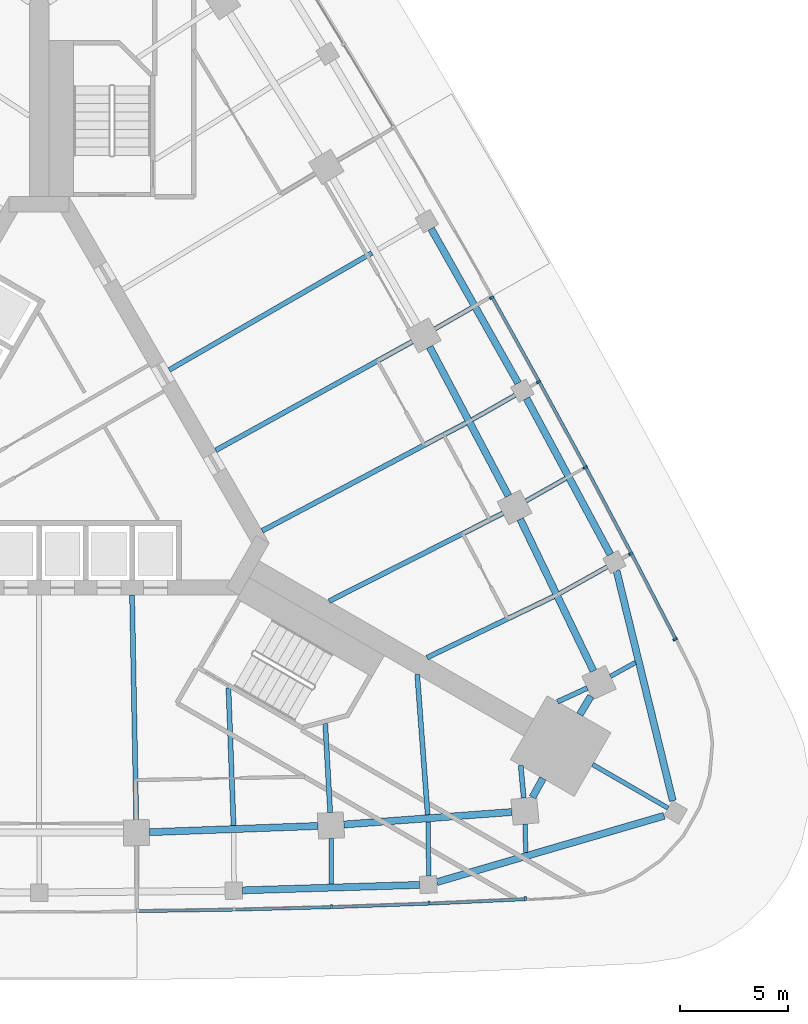
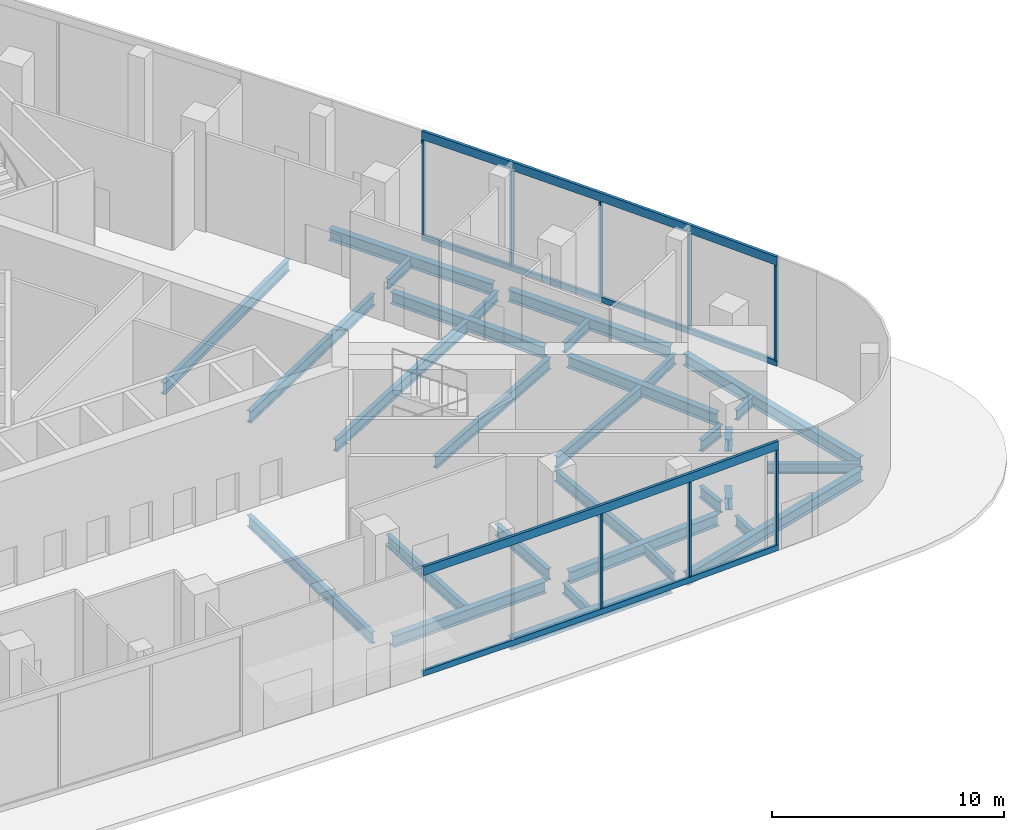
# One storey, part 3 of 14: 31 beams, 12 members, 2 elements without a shape of their own.
"""IFC4 building model written with IfcOpenShell, lengths in metres."""

from ifc_helpers import new_model, si_unit, direction, frame, origin, origin_2d, place, context, subcontext, project, spatial, polyline, rectangle, i_section, outline, extrude, material, material_profile, profile_set, type_object, element, aggregate, save


model = new_model("IFC4")

# Units and contexts
model_context = context("Model", 3, precision=1e-05, world=origin(), true_north=direction((0.0, 1.0)))
body_context = subcontext(model_context, "Body", "Model", "MODEL_VIEW")
ifc_project = project(units=[si_unit("LENGTHUNIT", "METRE"), si_unit("AREAUNIT", "SQUARE_METRE"), si_unit("VOLUMEUNIT", "CUBIC_METRE"), si_unit("PLANEANGLEUNIT", "RADIAN"), si_unit("MASSUNIT", "GRAM", prefix="KILO")], contexts=[model_context])

# Site, building, storey
site_placement = place(None, origin())
site = spatial("IfcSite", under=ifc_project, at=site_placement, CompositionType="ELEMENT")
building_placement = place(site_placement, origin())
building = spatial("IfcBuilding", under=site, at=building_placement, Name="Noor Cloister Tower", CompositionType="ELEMENT")
storey_placement = place(building_placement, origin())
storey = spatial("IfcBuildingStorey", under=building, at=storey_placement, Name="L00", CompositionType="ELEMENT", Elevation=0.0)

# Curtain wall, member
ifc_material_1 = material(Name="Aluminium 6063-T6 anodised", Category="aluminium")
curtain_wall_type = type_object("IfcCurtainWallType", Name="Station shopfront CW4", PredefinedType="NOTDEFINED", material=ifc_material_1)
curtain_wall_1_placement = place(storey_placement, origin())
curtain_wall_1 = element("IfcCurtainWall", 1, at=curtain_wall_1_placement, inside=storey, type_object=curtain_wall_type, Name="CW4 L00 S shopfront 6", PredefinedType="NOTDEFINED")
ifc_material_2 = material(Name="Aluminium 6063-T6 anodised", Category="aluminium")
member_type_1 = type_object("IfcMemberType", Name="Head transom CW4 450", PredefinedType="USERDEFINED", material=ifc_material_2)
member_1_placement = place(storey_placement, frame((0.0, 0.0, 5.300048828125)))
member_1 = element("IfcMember", 2, at=member_1_placement, type_object=member_type_1, Name="CW4 head transom", ObjectType="TRANSOM", PredefinedType="USERDEFINED", context=body_context, shape_type="SweptSolid", body=[
    extrude(outline(polyline([(4.5, -21.584228515625), (8.999267578125, -21.514892578125), (13.497802734375, -21.3994140625), (17.994873046875, -21.237548828125), (22.490234375, -21.02978515625), (22.483642578125, -20.889892578125), (17.9892578125, -21.09765625), (13.49365234375, -21.25927734375), (8.99658203125, -21.374755859375), (4.497802734375, -21.444091796875), (4.5, -21.584228515625)])), origin(), (0.0, 0.0, 1.0), 0.449951171875),
])

curtain_wall_2_placement = place(storey_placement, origin())
curtain_wall_2 = element("IfcCurtainWall", 3, at=curtain_wall_2_placement, inside=storey, type_object=curtain_wall_type, Name="CW4 L00 NE shopfront 9", PredefinedType="NOTDEFINED")
member_2_placement = place(storey_placement, frame((0.0, 0.0, 5.300048828125)))
member_2 = element("IfcMember", 4, at=member_2_placement, type_object=member_type_1, Name="CW4 head transom", ObjectType="TRANSOM", PredefinedType="USERDEFINED", context=body_context, shape_type="SweptSolid", body=[
    extrude(outline(polyline([(29.457275390625, -8.962158203125), (27.389892578125, -4.96533203125), (25.28125, -0.98974609375), (23.132080078125, 2.963623046875), (20.9423828125, 6.89501953125), (20.820068359375, 6.826904296875), (23.009521484375, 2.896240234375), (25.157958984375, -1.05615234375), (27.265869140625, -5.0302734375), (29.3330078125, -9.0263671875), (29.457275390625, -8.962158203125)])), origin(), (0.0, 0.0, 1.0), 0.449951171875),
])

# Member
ifc_material_3 = material(Name="Aluminium 6063-T6 anodised", Category="aluminium")
ifc_material_profile_1 = material_profile(ifc_material_3, rectangle(XDim=0.199951171875, YDim=0.10009765625, at=origin_2d()), Name="200 x 100 mullion")
ifc_profile_set_1 = profile_set([ifc_material_profile_1], Name="Aluminium 6063-T6 anodised")
member_type_2 = type_object("IfcMemberType", Name="Mullion CW4 100 x 200", PredefinedType="MULLION", material=ifc_profile_set_1)
member_3_placement = place(storey_placement, frame((13.494873046875, -21.29931640625, 0.300048828125), z_axis=(0.0, 0.0, 1.0), x_axis=(-0.030802980644, 0.999525475605, 0.0)))
member_3 = element("IfcMember", 5, at=member_3_placement, type_object=member_type_2, Name="CW4 mullion 3", PredefinedType="MULLION", context=body_context, shape_type="SweptSolid", body=[
    extrude(rectangle(XDim=0.199951171875, YDim=0.10009765625, at=origin_2d()), origin(), (0.0, 0.0, 1.0), 5.0),
])

member_4_placement = place(storey_placement, frame((17.99072265625, -21.1376953125, 0.300048828125), z_axis=(0.0, 0.0, 1.0), x_axis=(-0.041065575991, 0.999156453449, 0.0)))
member_4 = element("IfcMember", 6, at=member_4_placement, type_object=member_type_2, Name="CW4 mullion 4", PredefinedType="MULLION", context=body_context, shape_type="SweptSolid", body=[
    extrude(rectangle(XDim=0.199951171875, YDim=0.10009765625, at=origin_2d()), origin(), (0.0, 0.0, 1.0), 5.0),
])

member_5_placement = place(storey_placement, frame((22.435546875, -20.93212890625, 0.300048828125), z_axis=(0.0, 0.0, 1.0), x_axis=(-0.046195334729, 0.998932425667, 0.0)))
member_5 = element("IfcMember", 7, at=member_5_placement, type_object=member_type_2, Name="CW4 mullion 5", PredefinedType="MULLION", context=body_context, shape_type="SweptSolid", body=[
    extrude(rectangle(XDim=0.199951171875, YDim=0.10009765625, at=origin_2d()), origin(), (0.0, 0.0, 1.0), 5.0),
])

member_6_placement = place(storey_placement, frame((29.345458984375, -8.963623046875, 0.300048828125), z_axis=(0.0, 0.0, 1.0), x_axis=(-0.888198524656, -0.459459879422, 0.0)))
member_6 = element("IfcMember", 8, at=member_6_placement, type_object=member_type_2, Name="CW4 mullion 1", PredefinedType="MULLION", context=body_context, shape_type="SweptSolid", body=[
    extrude(rectangle(XDim=0.199951171875, YDim=0.10009765625, at=origin_2d()), origin(), (0.0, 0.0, 1.0), 5.0),
])

member_7_placement = place(storey_placement, frame((27.30126953125, -5.01171875, 0.300048828125), z_axis=(0.0, 0.0, 1.0), x_axis=(-0.885827659038, -0.464014394695, 0.0)))
member_7 = element("IfcMember", 9, at=member_7_placement, type_object=member_type_2, Name="CW4 mullion 2", PredefinedType="MULLION", context=body_context, shape_type="SweptSolid", body=[
    extrude(rectangle(XDim=0.199951171875, YDim=0.10009765625, at=origin_2d()), origin(), (0.0, 0.0, 1.0), 5.0),
])

member_8_placement = place(storey_placement, frame((25.193115234375, -1.037109375, 0.300048828125), z_axis=(0.0, 0.0, 1.0), x_axis=(-0.881015943926, -0.473086574052, 0.0)))
member_8 = element("IfcMember", 10, at=member_8_placement, type_object=member_type_2, Name="CW4 mullion 3", PredefinedType="MULLION", context=body_context, shape_type="SweptSolid", body=[
    extrude(rectangle(XDim=0.199951171875, YDim=0.10009765625, at=origin_2d()), origin(), (0.0, 0.0, 1.0), 5.0),
])

member_9_placement = place(storey_placement, frame((23.04443359375, 2.91552734375, 0.300048828125), z_axis=(0.0, 0.0, 1.0), x_axis=(-0.876111311066, -0.482108878391, 0.0)))
member_9 = element("IfcMember", 11, at=member_9_placement, type_object=member_type_2, Name="CW4 mullion 4", PredefinedType="MULLION", context=body_context, shape_type="SweptSolid", body=[
    extrude(rectangle(XDim=0.199951171875, YDim=0.10009765625, at=origin_2d()), origin(), (0.0, 0.0, 1.0), 5.0),
])

member_10_placement = place(storey_placement, frame((20.87939453125, 6.802734375, 0.300048828125), z_axis=(0.0, 0.0, 1.0), x_axis=(-0.873624319016, -0.486601016464, 0.0)))
member_10 = element("IfcMember", 12, at=member_10_placement, type_object=member_type_2, Name="CW4 mullion 5", PredefinedType="MULLION", context=body_context, shape_type="SweptSolid", body=[
    extrude(rectangle(XDim=0.199951171875, YDim=0.10009765625, at=origin_2d()), origin(), (0.0, 0.0, 1.0), 5.0),
])

# Beams
ifc_material_4 = material(Name="Steel ASTM A992 Gr 50", Category="steel")
ifc_material_profile_2 = material_profile(ifc_material_4, i_section(OverallWidth=0.324951171875, OverallDepth=0.612060546875, WebThickness=0.0126953125, FlangeThickness=0.01904296875, FilletRadius=0.0126953125, at=origin_2d()), Name="W610x155")
ifc_profile_set_2 = profile_set([ifc_material_profile_2], Name="Steel ASTM A992 Gr 50")
beam_type_1 = type_object("IfcBeamType", Name="Podium column line beam W610x155", PredefinedType="BEAM", material=ifc_profile_set_2)
for number, where, z_axis, x_axis, name in (
    (13, (5.089111328125, -17.869140625, -0.555908203125), (0.999311691731, 0.037096398343, 0.0), (-0.037096398343, 0.999311691731, 0.0), "Podium column line beam S 06 L00"),
    (14, (14.060791015625, -17.513916015625, -0.555908203125), (0.997246218275, 0.074161850945, 0.0), (-0.074161850945, 0.997246218275, 0.0), "Podium column line beam S 08 L00"),
):
    element("IfcBeam", number, at=place(storey_placement, frame(where, z_axis=z_axis, x_axis=x_axis)), inside=storey, type_object=beam_type_1, Name=name, PredefinedType="BEAM", context=body_context, shape_type="SweptSolid", body=[
        extrude(i_section(OverallWidth=0.324951171875, OverallDepth=0.612060546875, WebThickness=0.0126953125, FlangeThickness=0.01904296875, FilletRadius=0.0126953125, at=origin_2d()), origin(), (0.0, 0.0, 1.0), 7.779052734375),
    ])
for number, where, z_axis, x_axis, name in (
    (15, (25.5771484375, -10.4267578125, -0.555908203125), (-0.434400589533, 0.900719783181, 0.0), (-0.900719783181, -0.434400589533, 0.0), "Podium column line beam NE 00 L00"),
    (16, (21.65673828125, -2.34912109375, -0.555908203125), (-0.467547366886, 0.883968019624, 0.0), (-0.883968019624, -0.467547366886, 0.0), "Podium column line beam NE 02 L00"),
):
    element("IfcBeam", number, at=place(storey_placement, frame(where, z_axis=z_axis, x_axis=x_axis)), inside=storey, type_object=beam_type_1, Name=name, PredefinedType="BEAM", context=body_context, shape_type="SweptSolid", body=[
        extrude(i_section(OverallWidth=0.324951171875, OverallDepth=0.612060546875, WebThickness=0.0126953125, FlangeThickness=0.01904296875, FilletRadius=0.0126953125, at=origin_2d()), origin(), (0.0, 0.0, 1.0), 7.77880859375),
    ])
for number, where, z_axis, x_axis, name in (
    (17, (22.76611328125, -16.257568359375, -0.555908203125), (0.48185292196, 0.876252110753, 0.0), (-0.876252110753, 0.48185292196, 0.0), "Podium end beam S 10 L00"),
    (18, (25.46240234375, -11.58740234375, -0.555908203125), (-0.517698861359, -0.855562907651, 0.0), (0.855562907651, -0.517698861359, 0.0), "Podium end beam NE 00 L00"),
):
    element("IfcBeam", number, at=place(storey_placement, frame(where, z_axis=z_axis, x_axis=x_axis)), inside=storey, type_object=beam_type_1, Name=name, PredefinedType="BEAM", context=body_context, shape_type="SweptSolid", body=[
        extrude(i_section(OverallWidth=0.324951171875, OverallDepth=0.612060546875, WebThickness=0.0126953125, FlangeThickness=0.01904296875, FilletRadius=0.0126953125, at=origin_2d()), origin(), (0.0, 0.0, 1.0), 0.99658203125),
    ])
ifc_material_5 = material(Name="Steel ASTM A992 Gr 50", Category="steel")
ifc_material_profile_3 = material_profile(ifc_material_5, i_section(OverallWidth=0.324951171875, OverallDepth=0.616943359375, WebThickness=0.013916015625, FlangeThickness=0.021484375, FilletRadius=0.0126953125, at=origin_2d()), Name="W610x174")
ifc_profile_set_3 = profile_set([ifc_material_profile_3], Name="Steel ASTM A992 Gr 50")
beam_type_2 = type_object("IfcBeamType", Name="Podium perimeter beam W610x174", PredefinedType="BEAM", material=ifc_profile_set_3)
beam_1_placement = place(storey_placement, frame((9.379638671875, -20.552734375, -0.55859375), z_axis=(0.999525578868, 0.030799629673, 0.0), x_axis=(-0.030799629673, 0.999525578868, 0.0)))
element("IfcBeam", 19, at=beam_1_placement, inside=storey, type_object=beam_type_2, Name="Podium perimeter beam 11 L00", PredefinedType="BEAM", context=body_context, shape_type="SweptSolid", body=[
    extrude(i_section(OverallWidth=0.324951171875, OverallDepth=0.616943359375, WebThickness=0.013916015625, FlangeThickness=0.021484375, FilletRadius=0.0126953125, at=origin_2d()), origin(), (0.0, 0.0, 1.0), 8.180419921875),
])
for number, where, z_axis, x_axis, name in (
    (20, (18.3515625, -20.1728515625, -0.55859375), (0.959935397728, 0.280221398522, 0.0), (-0.280221398522, 0.959935397728, 0.0), "Podium perimeter beam 12 L00"),
    (21, (29.23828125, -16.4189453125, -0.55859375), (-0.237289539542, 0.971438971024, 0.0), (-0.971438971024, -0.237289539542, 0.0), "Podium perimeter beam 13 L00"),
):
    element("IfcBeam", number, at=place(storey_placement, frame(where, z_axis=z_axis, x_axis=x_axis)), inside=storey, type_object=beam_type_2, Name=name, PredefinedType="BEAM", context=body_context, shape_type="SweptSolid", body=[
        extrude(i_section(OverallWidth=0.324951171875, OverallDepth=0.616943359375, WebThickness=0.013916015625, FlangeThickness=0.021484375, FilletRadius=0.0126953125, at=origin_2d()), origin(), (0.0, 0.0, 1.0), 10.924560546875),
    ])
for number, where, z_axis, x_axis, name in (
    (22, (26.35888671875, -5.0537109375, -0.55859375), (-0.47307258725, 0.881023454394, 0.0), (-0.881023454394, -0.47307258725, 0.0), "Podium perimeter beam 14 L00"),
    (23, (22.103271484375, 2.854248046875, -0.55859375), (-0.491071539523, 0.871119247331, 0.0), (-0.871119247331, -0.491071539523, 0.0), "Podium perimeter beam 15 L00"),
):
    element("IfcBeam", number, at=place(storey_placement, frame(where, z_axis=z_axis, x_axis=x_axis)), inside=storey, type_object=beam_type_2, Name=name, PredefinedType="BEAM", context=body_context, shape_type="SweptSolid", body=[
        extrude(i_section(OverallWidth=0.324951171875, OverallDepth=0.616943359375, WebThickness=0.013916015625, FlangeThickness=0.021484375, FilletRadius=0.0126953125, at=origin_2d()), origin(), (0.0, 0.0, 1.0), 8.18017578125),
    ])
ifc_material_6 = material(Name="Steel ASTM A992 Gr 50", Category="steel")
ifc_material_profile_4 = material_profile(ifc_material_6, i_section(OverallWidth=0.22900390625, OverallDepth=0.612060546875, WebThickness=0.011962890625, FlangeThickness=0.01953125, FilletRadius=0.0126953125, at=origin_2d()), Name="W610x125")
ifc_profile_set_4 = profile_set([ifc_material_profile_4], Name="Steel ASTM A992 Gr 50")
beam_type_3 = type_object("IfcBeamType", Name="Podium radial beam W610x125", PredefinedType="BEAM", material=ifc_profile_set_4)
beam_2_placement = place(storey_placement, frame((4.478515625, -17.29150390625, -0.555908203125), z_axis=(-0.018560692037, 0.999827735518, 0.0), x_axis=(-0.999827735518, -0.018560692037, 0.0)))
element("IfcBeam", 24, at=beam_2_placement, inside=storey, type_object=beam_type_3, Name="Podium radial beam S 06 L00", PredefinedType="BEAM", context=body_context, shape_type="SweptSolid", body=[
    extrude(i_section(OverallWidth=0.22900390625, OverallDepth=0.612060546875, WebThickness=0.011962890625, FlangeThickness=0.01953125, FilletRadius=0.0126953125, at=origin_2d()), origin(), (0.0, 0.0, 1.0), 10.364990234375),
])
beam_3_placement = place(storey_placement, frame((8.969970703125, -17.5625, -0.555908203125), z_axis=(-0.037101061142, 0.999311518628, 0.0), x_axis=(-0.999311518628, -0.037101061142, 0.0)))
element("IfcBeam", 25, at=beam_3_placement, inside=storey, type_object=beam_type_3, Name="Podium radial beam S 07 L00", PredefinedType="BEAM", context=body_context, shape_type="SweptSolid", body=[
    extrude(i_section(OverallWidth=0.22900390625, OverallDepth=0.612060546875, WebThickness=0.011962890625, FlangeThickness=0.01953125, FilletRadius=0.0126953125, at=origin_2d()), origin(), (0.0, 0.0, 1.0), 6.36328125),
])
beam_4_placement = place(storey_placement, frame((13.428955078125, -16.959228515625, -0.555908203125), z_axis=(-0.055591728913, 0.998453584137, 0.0), x_axis=(-0.998453584137, -0.055591728913, 0.0)))
element("IfcBeam", 26, at=beam_4_placement, inside=storey, type_object=beam_type_3, Name="Podium radial beam S 08 L00", PredefinedType="BEAM", context=body_context, shape_type="SweptSolid", body=[
    extrude(i_section(OverallWidth=0.22900390625, OverallDepth=0.612060546875, WebThickness=0.011962890625, FlangeThickness=0.01953125, FilletRadius=0.0126953125, at=origin_2d()), origin(), (0.0, 0.0, 1.0), 4.110595703125),
])
beam_5_placement = place(storey_placement, frame((17.927490234375, -17.0634765625, -0.555908203125), z_axis=(-0.074118366359, 0.997249451125, 0.0), x_axis=(-0.997249451125, -0.074118366359, 0.0)))
element("IfcBeam", 27, at=beam_5_placement, inside=storey, type_object=beam_type_3, Name="Podium radial beam S 09 L00", PredefinedType="BEAM", context=body_context, shape_type="SweptSolid", body=[
    extrude(i_section(OverallWidth=0.22900390625, OverallDepth=0.612060546875, WebThickness=0.011962890625, FlangeThickness=0.01953125, FilletRadius=0.0126953125, at=origin_2d()), origin(), (0.0, 0.0, 1.0), 6.489013671875),
])
for number, where, z_axis, x_axis, name in (
    (28, (22.361328125, -16.295166015625, -0.555908203125), (-0.09269423525, 0.995694621233, 0.0), (-0.995694621233, -0.09269423525, 0.0), "Podium radial beam S 10 L00"),
    (29, (25.292724609375, -11.2177734375, -0.555908203125), (-0.908602193803, -0.417662607157, 0.0), (0.417662607157, -0.908602193803, 0.0), "Podium radial beam NE 00 L00"),
):
    element("IfcBeam", number, at=place(storey_placement, frame(where, z_axis=z_axis, x_axis=x_axis)), inside=storey, type_object=beam_type_3, Name=name, PredefinedType="BEAM", context=body_context, shape_type="SweptSolid", body=[
        extrude(i_section(OverallWidth=0.22900390625, OverallDepth=0.612060546875, WebThickness=0.011962890625, FlangeThickness=0.01953125, FilletRadius=0.0126953125, at=origin_2d()), origin(), (0.0, 0.0, 1.0), 1.50927734375),
    ])
beam_6_placement = place(storey_placement, frame((23.7412109375, -6.993896484375, -0.555908203125), z_axis=(-0.900702438264, -0.43443655199, 0.0), x_axis=(0.43443655199, -0.900702438264, 0.0)))
element("IfcBeam", 30, at=beam_6_placement, inside=storey, type_object=beam_type_3, Name="Podium radial beam NE 01 L00", PredefinedType="BEAM", context=body_context, shape_type="SweptSolid", body=[
    extrude(i_section(OverallWidth=0.22900390625, OverallDepth=0.612060546875, WebThickness=0.011962890625, FlangeThickness=0.01953125, FilletRadius=0.0126953125, at=origin_2d()), origin(), (0.0, 0.0, 1.0), 6.489013671875),
])
beam_7_placement = place(storey_placement, frame((21.401611328125, -3.150146484375, -0.555908203125), z_axis=(-0.892490546955, -0.451066096705, 0.0), x_axis=(0.451066096705, -0.892490546955, 0.0)))
element("IfcBeam", 31, at=beam_7_placement, inside=storey, type_object=beam_type_3, Name="Podium radial beam NE 02 L00", PredefinedType="BEAM", context=body_context, shape_type="SweptSolid", body=[
    extrude(i_section(OverallWidth=0.22900390625, OverallDepth=0.612060546875, WebThickness=0.011962890625, FlangeThickness=0.01953125, FilletRadius=0.0126953125, at=origin_2d()), origin(), (0.0, 0.0, 1.0), 8.989013671875),
])
beam_8_placement = place(storey_placement, frame((19.694580078125, 1.01318359375, -0.555908203125), z_axis=(-0.883975349121, -0.467533509116, 0.0), x_axis=(0.467533509116, -0.883975349121, 0.0)))
element("IfcBeam", 32, at=beam_8_placement, inside=storey, type_object=beam_type_3, Name="Podium radial beam NE 03 L00", PredefinedType="BEAM", context=body_context, shape_type="SweptSolid", body=[
    extrude(i_section(OverallWidth=0.22900390625, OverallDepth=0.612060546875, WebThickness=0.011962890625, FlangeThickness=0.01953125, FilletRadius=0.0126953125, at=origin_2d()), origin(), (0.0, 0.0, 1.0), 10.6416015625),
])
beam_9_placement = place(storey_placement, frame((17.214111328125, 4.767333984375, -0.555908203125), z_axis=(-0.875152039929, -0.483848020568, 0.0), x_axis=(0.483848020568, -0.875152039929, 0.0)))
element("IfcBeam", 33, at=beam_9_placement, inside=storey, type_object=beam_type_3, Name="Podium radial beam NE 04 L00", PredefinedType="BEAM", context=body_context, shape_type="SweptSolid", body=[
    extrude(i_section(OverallWidth=0.22900390625, OverallDepth=0.612060546875, WebThickness=0.011962890625, FlangeThickness=0.01953125, FilletRadius=0.0126953125, at=origin_2d()), origin(), (0.0, 0.0, 1.0), 10.364990234375),
])
beam_10_placement = place(storey_placement, frame((15.353759765625, 8.864501953125, -0.555908203125), z_axis=(-0.866025607992, -0.499999646302, 0.0), x_axis=(0.499999646302, -0.866025607992, 0.0)))
element("IfcBeam", 34, at=beam_10_placement, inside=storey, type_object=beam_type_3, Name="Podium radial beam NE 05 L00", PredefinedType="BEAM", context=body_context, shape_type="SweptSolid", body=[
    extrude(i_section(OverallWidth=0.22900390625, OverallDepth=0.612060546875, WebThickness=0.011962890625, FlangeThickness=0.01953125, FilletRadius=0.0126953125, at=origin_2d()), origin(), (0.0, 0.0, 1.0), 10.80078125),
])
ifc_material_7 = material(Name="Steel ASTM A992 Gr 50", Category="steel")
ifc_material_profile_5 = material_profile(ifc_material_7, i_section(OverallWidth=0.208984375, OverallDepth=0.532958984375, WebThickness=0.01025390625, FlangeThickness=0.015625, FilletRadius=0.0126953125, at=origin_2d()), Name="W530x92")
ifc_profile_set_5 = profile_set([ifc_material_profile_5], Name="Steel ASTM A992 Gr 50")
beam_type_4 = type_object("IfcBeamType", Name="Podium stub beam W530x92", PredefinedType="BEAM", material=ifc_profile_set_5)
beam_11_placement = place(storey_placement, frame((13.468017578125, -18.158935546875, -0.5166015625), z_axis=(0.009163285382, -0.999958016219, 0.0), x_axis=(0.999958016219, 0.009163285382, 0.0)))
element("IfcBeam", 35, at=beam_11_placement, inside=storey, type_object=beam_type_4, Name="Podium stub beam S 08 L00", PredefinedType="BEAM", context=body_context, shape_type="SweptSolid", body=[
    extrude(i_section(OverallWidth=0.208984375, OverallDepth=0.532958984375, WebThickness=0.01025390625, FlangeThickness=0.015625, FilletRadius=0.0126953125, at=origin_2d()), origin(), (0.0, 0.0, 1.0), 2.104736328125),
])
beam_12_placement = place(storey_placement, frame((17.9443359375, -17.38818359375, -0.5166015625), z_axis=(0.013089929593, -0.999914323201, 0.0), x_axis=(0.999914323201, 0.013089929593, 0.0)))
element("IfcBeam", 36, at=beam_12_placement, inside=storey, type_object=beam_type_4, Name="Podium stub beam S 09 L00", PredefinedType="BEAM", context=body_context, shape_type="SweptSolid", body=[
    extrude(i_section(OverallWidth=0.208984375, OverallDepth=0.532958984375, WebThickness=0.01025390625, FlangeThickness=0.015625, FilletRadius=0.0126953125, at=origin_2d()), origin(), (0.0, 0.0, 1.0), 2.499267578125),
])
beam_13_placement = place(storey_placement, frame((22.427490234375, -17.494140625, -0.5166015625), z_axis=(0.017661803966, -0.999844018175, 0.0), x_axis=(0.999844018175, 0.017661803966, 0.0)))
element("IfcBeam", 37, at=beam_13_placement, inside=storey, type_object=beam_type_4, Name="Podium stub beam S 10 L00", PredefinedType="BEAM", context=body_context, shape_type="SweptSolid", body=[
    extrude(i_section(OverallWidth=0.208984375, OverallDepth=0.532958984375, WebThickness=0.01025390625, FlangeThickness=0.015625, FilletRadius=0.0126953125, at=origin_2d()), origin(), (0.0, 0.0, 1.0), 1.313232421875),
])
beam_14_placement = place(storey_placement, frame((26.3642578125, -10.675537109375, -0.5166015625), z_axis=(0.874735573686, 0.484600532531, 0.0), x_axis=(-0.484600532531, 0.874735573686, 0.0)))
element("IfcBeam", 38, at=beam_14_placement, inside=storey, type_object=beam_type_4, Name="Podium stub beam NE 00 L00", PredefinedType="BEAM", context=body_context, shape_type="SweptSolid", body=[
    extrude(i_section(OverallWidth=0.208984375, OverallDepth=0.532958984375, WebThickness=0.01025390625, FlangeThickness=0.015625, FilletRadius=0.0126953125, at=origin_2d()), origin(), (0.0, 0.0, 1.0), 1.31298828125),
])
beam_15_placement = place(storey_placement, frame((24.03076171875, -6.84619140625, -0.5166015625), z_axis=(0.872502684482, 0.488609317933, 0.0), x_axis=(-0.488609317933, 0.872502684482, 0.0)))
element("IfcBeam", 39, at=beam_15_placement, inside=storey, type_object=beam_type_4, Name="Podium stub beam NE 01 L00", PredefinedType="BEAM", context=body_context, shape_type="SweptSolid", body=[
    extrude(i_section(OverallWidth=0.208984375, OverallDepth=0.532958984375, WebThickness=0.01025390625, FlangeThickness=0.015625, FilletRadius=0.0126953125, at=origin_2d()), origin(), (0.0, 0.0, 1.0), 2.499267578125),
])
beam_16_placement = place(storey_placement, frame((22.460205078125, -2.583984375, -0.5166015625), z_axis=(0.870610366402, 0.491973159748, 0.0), x_axis=(-0.491973159748, 0.870610366402, 0.0)))
element("IfcBeam", 40, at=beam_16_placement, inside=storey, type_object=beam_type_4, Name="Podium stub beam NE 02 L00", PredefinedType="BEAM", context=body_context, shape_type="SweptSolid", body=[
    extrude(i_section(OverallWidth=0.208984375, OverallDepth=0.532958984375, WebThickness=0.01025390625, FlangeThickness=0.015625, FilletRadius=0.0126953125, at=origin_2d()), origin(), (0.0, 0.0, 1.0), 2.1044921875),
])
beam_17_placement = place(storey_placement, frame((19.980224609375, 1.16845703125, -0.5166015625), z_axis=(0.868954795395, 0.494891466446, 0.0), x_axis=(-0.494891466446, 0.868954795395, 0.0)))
element("IfcBeam", 41, at=beam_17_placement, inside=storey, type_object=beam_type_4, Name="Podium stub beam NE 03 L00", PredefinedType="BEAM", context=body_context, shape_type="SweptSolid", body=[
    extrude(i_section(OverallWidth=0.208984375, OverallDepth=0.532958984375, WebThickness=0.01025390625, FlangeThickness=0.015625, FilletRadius=0.0126953125, at=origin_2d()), origin(), (0.0, 0.0, 1.0), 2.277099609375),
])
beam_18_placement = place(storey_placement, frame((18.259765625, 5.356201171875, -0.5166015625), z_axis=(0.867389720101, 0.497629453974, 0.0), x_axis=(-0.497629453974, 0.867389720101, 0.0)))
element("IfcBeam", 42, at=beam_18_placement, inside=storey, type_object=beam_type_4, Name="Podium stub beam NE 04 L00", PredefinedType="BEAM", context=body_context, shape_type="SweptSolid", body=[
    extrude(i_section(OverallWidth=0.208984375, OverallDepth=0.532958984375, WebThickness=0.01025390625, FlangeThickness=0.015625, FilletRadius=0.0126953125, at=origin_2d()), origin(), (0.0, 0.0, 1.0), 1.95703125),
])
beam_19_placement = place(storey_placement, frame((25.538330078125, -14.744384765625, -0.5166015625), z_axis=(0.866001699761, -0.500041054325, 0.0), x_axis=(0.500041054325, 0.866001699761, 0.0)))
element("IfcBeam", 43, at=beam_19_placement, inside=storey, type_object=beam_type_4, Name="Podium corner stub beam SE L00", PredefinedType="BEAM", context=body_context, shape_type="SweptSolid", body=[
    extrude(i_section(OverallWidth=0.208984375, OverallDepth=0.532958984375, WebThickness=0.01025390625, FlangeThickness=0.015625, FilletRadius=0.0126953125, at=origin_2d()), origin(), (0.0, 0.0, 1.0), 4.024169921875),
])

# Member
ifc_material_8 = material(Name="Aluminium 6063-T6 anodised", Category="aluminium")
member_type_3 = type_object("IfcMemberType", Name="Sill transom CW4 300", PredefinedType="USERDEFINED", material=ifc_material_8)
member_11_placement = place(storey_placement, origin())
member_11 = element("IfcMember", 44, at=member_11_placement, type_object=member_type_3, Name="CW4 sill transom", ObjectType="TRANSOM", PredefinedType="USERDEFINED", context=body_context, shape_type="SweptSolid", body=[
    extrude(outline(polyline([(4.5, -21.584228515625), (8.999267578125, -21.514892578125), (13.497802734375, -21.3994140625), (17.994873046875, -21.237548828125), (22.490234375, -21.02978515625), (22.483642578125, -20.889892578125), (17.9892578125, -21.09765625), (13.49365234375, -21.25927734375), (8.99658203125, -21.374755859375), (4.497802734375, -21.444091796875), (4.5, -21.584228515625)])), origin(), (0.0, 0.0, 1.0), 0.300048828125),
])

aggregate(curtain_wall_1, [member_3, member_4, member_5, member_11, member_1])

member_12_placement = place(storey_placement, origin())
member_12 = element("IfcMember", 45, at=member_12_placement, type_object=member_type_3, Name="CW4 sill transom", ObjectType="TRANSOM", PredefinedType="USERDEFINED", context=body_context, shape_type="SweptSolid", body=[
    extrude(outline(polyline([(29.457275390625, -8.962158203125), (27.389892578125, -4.96533203125), (25.28125, -0.98974609375), (23.132080078125, 2.963623046875), (20.9423828125, 6.89501953125), (20.820068359375, 6.826904296875), (23.009521484375, 2.896240234375), (25.157958984375, -1.05615234375), (27.265869140625, -5.0302734375), (29.3330078125, -9.0263671875), (29.457275390625, -8.962158203125)])), origin(), (0.0, 0.0, 1.0), 0.300048828125),
])

aggregate(curtain_wall_2, [member_6, member_7, member_8, member_9, member_10, member_12, member_2])

save(model, "model.ifc")
